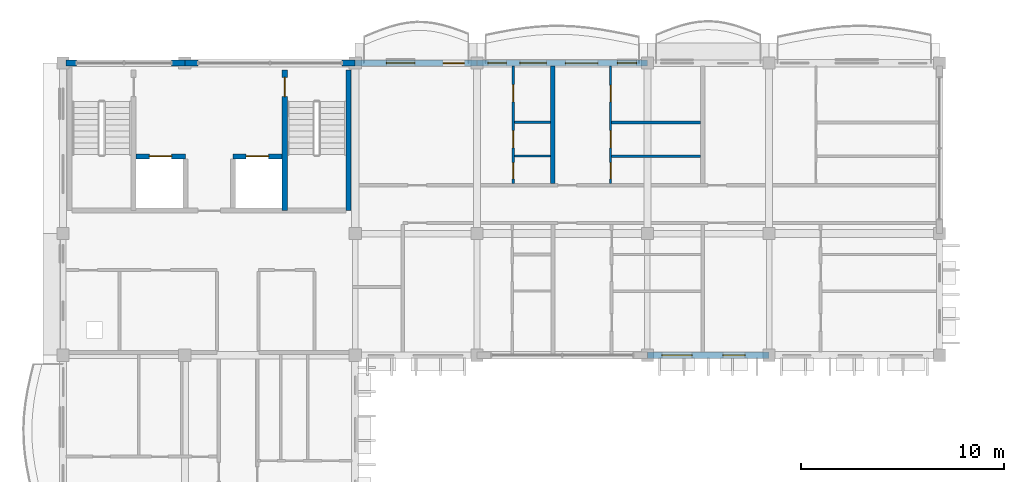
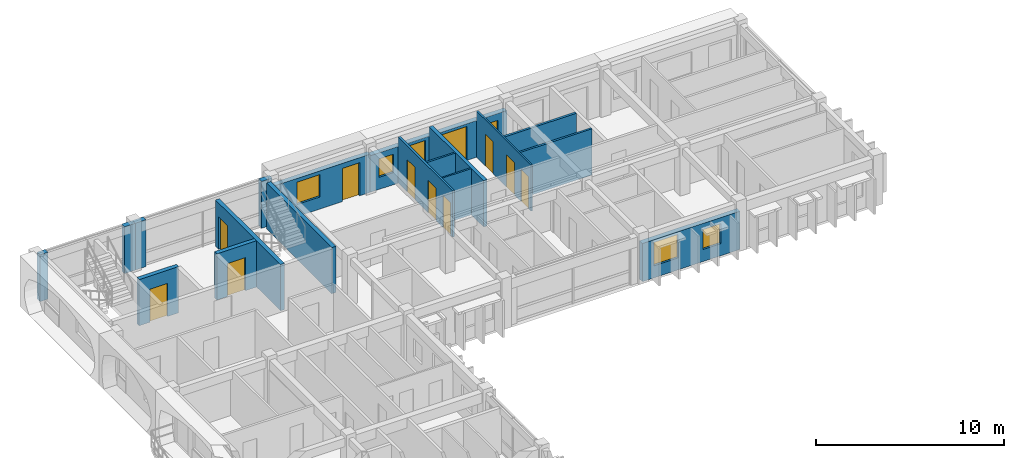
# One storey, part 31 of 68: 18 walls, 11 doors, 6 windows, 17 openings.
"""IFC4 building model written with IfcOpenShell, lengths in metres."""

import ifcopenshell
import ifcopenshell.guid

model = None  # the IFC model being written
_history = None  # IfcOwnerHistory: only IFC2X3 demands one
_inside = {}  # id of a spatial element -> (the spatial element, [elements in it])
_under = {}  # id of a project, library or spatial element -> (it, [spatial elements below it])
_declared = {}  # id of a project -> (the project, [libraries it declares])
_typed = {}  # id of a type object -> (the type object, [elements of that type])
_made_of = {}  # id of a material, layer set ... -> (it, [elements and type objects made of it])


def new_model(schema):
    """Start an empty IFC model of exactly this schema.

    Asked for "IFC4X3", IfcOpenShell would pick the latest addendum, in which some entities
    have other attributes; the version numbers below select the first issue.
    IFC2X3 requires an IfcOwnerHistory on every rooted entity: one is made here for all.
    """
    global model, _history
    if schema == "IFC4X3":
        model = ifcopenshell.file(schema_version=(4, 3, 0, 0))
    else:
        model = ifcopenshell.file(schema=schema)
    _inside.clear()
    _under.clear()
    _declared.clear()
    _typed.clear()
    _made_of.clear()
    _history = None
    if model.schema == "IFC2X3":
        org = make("IfcOrganization", Name="unknown")
        user = make(
            "IfcPersonAndOrganization",
            ThePerson=make("IfcPerson", FamilyName="unknown"),
            TheOrganization=org,
        )
        app = make(
            "IfcApplication",
            ApplicationDeveloper=org,
            Version="unknown",
            ApplicationFullName="unknown",
            ApplicationIdentifier="unknown",
        )
        _history = make(
            "IfcOwnerHistory",
            OwningUser=user,
            OwningApplication=app,
            ChangeAction="ADDED",
            CreationDate=0,
        )
    return model


def make(cls, **values):
    """One entity of the class cls with the attributes given. An attribute that is None is left unset."""
    return model.create_entity(
        cls, **{name: value for name, value in values.items() if value is not None}
    )


def rooted(cls, **values):
    """An entity with a GlobalId (a new one), such as an element, a storey or a relation."""
    return make(cls, GlobalId=ifcopenshell.guid.new(), OwnerHistory=_history, **values)


def si_unit(unit_type, name, prefix=None):
    """IfcSIUnit, for example si_unit("LENGTHUNIT", "METRE", prefix="MILLI")."""
    return make("IfcSIUnit", UnitType=unit_type, Prefix=prefix, Name=name)


def assignment(units):
    """IfcUnitAssignment: the units of a project."""
    return None if units is None else make("IfcUnitAssignment", Units=units)


def point(xyz):
    """IfcCartesianPoint."""
    return None if xyz is None else make("IfcCartesianPoint", Coordinates=xyz)


def direction(xyz):
    """IfcDirection."""
    return None if xyz is None else make("IfcDirection", DirectionRatios=xyz)


def frame(location, z_axis=None, x_axis=None):
    """IfcAxis2Placement3D, a coordinate frame: its origin and axes. An axis left out is left unset."""
    return make(
        "IfcAxis2Placement3D",
        Location=point(location),
        Axis=direction(z_axis),
        RefDirection=direction(x_axis),
    )


def frame_2d(location, x_axis=None):
    """IfcAxis2Placement2D, a coordinate frame in the plane: its origin and x axis."""
    return make(
        "IfcAxis2Placement2D", Location=point(location), RefDirection=direction(x_axis)
    )


def origin():
    """The frame at (0, 0, 0) with its axes left unset."""
    return frame((0.0, 0.0, 0.0))


def place(relative_to, where):
    """IfcLocalPlacement: puts the frame where relative to a parent placement (None: the world)."""
    return make(
        "IfcLocalPlacement", PlacementRelTo=relative_to, RelativePlacement=where
    )


def context(
    kind, dimensions, precision=None, world=None, true_north=None, identifier=None
):
    """IfcGeometricRepresentationContext, for example the 3D "Model" context."""
    return make(
        "IfcGeometricRepresentationContext",
        ContextIdentifier=identifier,
        ContextType=kind,
        CoordinateSpaceDimension=dimensions,
        Precision=precision,
        WorldCoordinateSystem=world,
        TrueNorth=true_north,
    )


def subcontext(parent, identifier, kind, view, scale=None):
    """IfcGeometricRepresentationSubContext, for example "Body" below "Model"."""
    return make(
        "IfcGeometricRepresentationSubContext",
        ContextIdentifier=identifier,
        ContextType=kind,
        ParentContext=parent,
        TargetScale=scale,
        TargetView=view,
    )


def project(units=None, contexts=None):
    """IfcProject with its units and contexts."""
    return rooted(
        "IfcProject",
        Name="project",
        RepresentationContexts=contexts,
        UnitsInContext=assignment(units),
    )


def spatial(cls, under=None, at=None, **own):
    """A site, building, storey or space (cls), placed at a placement, below another one or the project."""
    s = rooted(cls, ObjectPlacement=at, **own)
    if under is not None:
        _under.setdefault(under.id(), (under, []))[1].append(s)
    return s


def profile(cls, at=None, kind="AREA", **sizes):
    """A parametric profile (cls). Its sizes go by their IFC names, for example OverallWidth=200.0."""
    return make(cls, ProfileType=kind, Position=at, **sizes)


def rectangle(**sizes):
    """IfcRectangleProfileDef."""
    return profile("IfcRectangleProfileDef", **sizes)


def extrude(swept, where, along, depth):
    """IfcExtrudedAreaSolid: the profile swept, set in the frame where, extruded along a direction by depth."""
    return make(
        "IfcExtrudedAreaSolid",
        SweptArea=swept,
        Position=where,
        ExtrudedDirection=direction(along),
        Depth=depth,
    )


def shape(context_of_items, identifier, shape_type, items):
    """IfcShapeRepresentation: the items that make up one representation, for example the "Body"."""
    return make(
        "IfcShapeRepresentation",
        ContextOfItems=context_of_items,
        RepresentationIdentifier=identifier,
        RepresentationType=shape_type,
        Items=items,
    )


def material(Name=None, Category=None):
    """IfcMaterial."""
    return make("IfcMaterial", Name=Name, Category=Category)


def layer(
    of_material, thickness, ventilated=None, Name=None, Category=None, Priority=None
):
    """IfcMaterialLayer: one layer of a wall or slab, of a material (None: an air gap)."""
    return make(
        "IfcMaterialLayer",
        Material=of_material,
        LayerThickness=thickness,
        IsVentilated=ventilated,
        Name=Name,
        Category=Category,
        Priority=Priority,
    )


def layer_set(layers, Name=None):
    """IfcMaterialLayerSet."""
    return make("IfcMaterialLayerSet", MaterialLayers=layers, LayerSetName=Name)


def made_of(thing, what):
    """Note that an element or type object is made of a material, layer set ...; save() writes the relation."""
    if what is not None:
        _made_of.setdefault(what.id(), (what, []))[1].append(thing)
    return thing


def type_object(cls, material=None, **own):
    """A type object (cls), such as IfcWallType, which elements share."""
    return made_of(rooted(cls, **own), material)


def element(
    cls,
    number,
    at=None,
    inside=None,
    cuts=None,
    type_object=None,
    material=None,
    context=None,
    identifier="Body",
    shape_type=None,
    held_by="IfcProductDefinitionShape",
    body=None,
    shapes=None,
    **own,
):
    """One element of the class cls, such as IfcWall. Its Tag is "e" and its number.

    at: its placement. inside: the storey or other place that contains it. cuts: it is an
    opening in that element (IfcRelVoidsElement). A single representation is given by context,
    identifier, shape_type and body (its items); several are given by shapes. held_by: the class
    of the entity that holds the representations. save() writes the other relations.
    """
    e = rooted(cls, Tag="e%d" % number, ObjectPlacement=at, **own)
    if body is not None:
        shapes = [shape(context, identifier, shape_type, body)]
    if shapes is not None:
        e.Representation = make(held_by, Representations=shapes)
    if inside is not None:
        _inside.setdefault(inside.id(), (inside, []))[1].append(e)
    if cuts is not None:
        rooted(
            "IfcRelVoidsElement", RelatingBuildingElement=cuts, RelatedOpeningElement=e
        )
    if type_object is not None:
        _typed.setdefault(type_object.id(), (type_object, []))[1].append(e)
    return made_of(e, material)


def fill(opening, filler):
    """IfcRelFillsElement: the door or window that sits in an opening."""
    return rooted(
        "IfcRelFillsElement",
        RelatingOpeningElement=opening,
        RelatedBuildingElement=filler,
    )


def aggregate(whole, parts):
    """IfcRelAggregates: a whole, such as a stair, and the parts it consists of."""
    return rooted("IfcRelAggregates", RelatingObject=whole, RelatedObjects=parts)


def save(model, path):
    """Write the relations noted so far, then the file.

    IfcRelAggregates (storeys below a building ...), IfcRelContainedInSpatialStructure (elements
    in a storey), IfcRelDefinesByType, IfcRelAssociatesMaterial and IfcRelDeclares: one each for
    every whole, place, type object, material and project.
    """
    for whole, parts in _under.values():
        aggregate(whole, parts)
    for where, things in _inside.values():
        rooted(
            "IfcRelContainedInSpatialStructure",
            RelatedElements=things,
            RelatingStructure=where,
        )
    for kind, things in _typed.values():
        rooted("IfcRelDefinesByType", RelatedObjects=things, RelatingType=kind)
    for what, things in _made_of.values():
        rooted("IfcRelAssociatesMaterial", RelatedObjects=things, RelatingMaterial=what)
    for by, libraries in _declared.values():
        rooted("IfcRelDeclares", RelatingContext=by, RelatedDefinitions=libraries)
    model.write(path)


model = new_model("IFC4")

# Units and contexts
model_context = context("Model", 3, precision=1e-05, world=origin(), true_north=direction((0.0, 1.0)))
body_context = subcontext(model_context, "Body", "Model", "MODEL_VIEW")
ifc_project = project(units=[si_unit("LENGTHUNIT", "METRE"), si_unit("AREAUNIT", "SQUARE_METRE"), si_unit("VOLUMEUNIT", "CUBIC_METRE"), si_unit("PLANEANGLEUNIT", "RADIAN"), si_unit("MASSUNIT", "GRAM", prefix="KILO"), si_unit("THERMODYNAMICTEMPERATUREUNIT", "KELVIN")], contexts=[model_context])

# Site, building, storey
site_placement = place(None, origin())
site = spatial("IfcSite", under=ifc_project, at=site_placement, CompositionType="ELEMENT")
building_placement = place(site_placement, origin())
building = spatial("IfcBuilding", under=site, at=building_placement, Name="Thalorik Housing Commons", CompositionType="ELEMENT")
storey_placement = place(building_placement, frame((0.0, 0.0, 24.60009765625)))
storey = spatial("IfcBuildingStorey", under=building, at=storey_placement, Name="L07", CompositionType="ELEMENT", Elevation=24.60009765625)

# Wall
ifc_material_1 = material(Name="Concrete C40/50", Category="concrete")
ifc_layer_1 = layer(ifc_material_1, 0.25, Name="Concrete C40/50", Category="concrete")
ifc_layer_set_1 = layer_set([ifc_layer_1], Name="Concrete C40/50")
wall_type_1 = type_object("IfcWallType", Name="ARC-WAL-CORE-250", PredefinedType="SHEAR", material=ifc_layer_set_1)
wall_1_placement = place(storey_placement, frame((22.47509765625, 123.25, 0.0), z_axis=(0.0, 0.0, 1.0), x_axis=(0.0, -1.0, 0.0)))
element("IfcWall", 1, at=wall_1_placement, inside=storey, type_object=wall_type_1, Name="L07 Core A Stair 2 Outer Shear Wall", PredefinedType="SHEAR", context=body_context, shape_type="SweptSolid", body=[
    extrude(rectangle(XDim=6.925048828125, YDim=0.25, at=frame_2d((3.46240234375, 0.0))), origin(), (0.0, 0.0, 1.0), 3.0),
])

# Wall, opening, door
wall_2_placement = place(storey_placement, frame((19.324951171875, 123.25, 0.0), z_axis=(0.0, 0.0, 1.0), x_axis=(0.0, -1.0, 0.0)))
wall_2 = element("IfcWall", 2, at=wall_2_placement, inside=storey, type_object=wall_type_1, Name="L07 Core A Stair 2 Shear Wall", PredefinedType="SHEAR", context=body_context, shape_type="SweptSolid", body=[
    extrude(rectangle(XDim=6.925048828125, YDim=0.25, at=frame_2d((3.46240234375, 0.0))), origin(), (0.0, 0.0, 1.0), 3.0),
])
opening_1_placement = place(wall_2_placement, frame((0.35009765625, 0.0, 0.0)))
opening_1 = element("IfcOpeningElement", 3, at=opening_1_placement, cuts=wall_2, Name="Opening ID-0066", PredefinedType="OPENING", context=body_context, shape_type="SweptSolid", body=[
    extrude(rectangle(XDim=0.949951171875, YDim=2.10009765625, at=frame_2d((0.47509765625, 1.050048828125))), frame((0.0, 0.135009765625, 0.0), z_axis=(0.0, -1.0, 0.0), x_axis=(1.0, 0.0, 0.0)), (0.0, 0.0, 1.0), 0.27001953125),
])
ifc_material_2 = material(Name="Steel S355", Category="steel")
door_type_1 = type_object("IfcDoorType", Name="ARC-DR-FD60-950", OperationType="NOTDEFINED", PredefinedType="DOOR", material=ifc_material_2)
door_1_placement = place(opening_1_placement, origin())
door_1 = element("IfcDoor", 4, at=door_1_placement, inside=storey, type_object=door_type_1, Name="L07 Stair ST-A2 Fire Door", OperationType="SINGLE_SWING_LEFT", OverallHeight=2.10009765625, OverallWidth=0.949951171875, PredefinedType="DOOR", context=body_context, shape_type="SweptSolid", body=[
    extrude(rectangle(XDim=0.949951171875, YDim=2.10009765625, at=frame_2d((0.47509765625, 1.050048828125))), frame((0.0, 0.02490234375, 0.0), z_axis=(0.0, -1.0, 0.0), x_axis=(1.0, 0.0, 0.0)), (0.0, 0.0, 1.0), 0.050048828125),
])
fill(opening_1, door_1)

wall_3_placement = place(storey_placement, frame((12.0, 119.0, 0.0), z_axis=(0.0, 0.0, 1.0), x_axis=(1.0, 0.0, 0.0)))
wall_3 = element("IfcWall", 5, at=wall_3_placement, inside=storey, type_object=wall_type_1, Name="L07 Lift LF-A1 Front Shaft Wall", PredefinedType="SHEAR", context=body_context, shape_type="SweptSolid", body=[
    extrude(rectangle(XDim=2.425048828125, YDim=0.25, at=frame_2d((1.21240234375, 0.0))), origin(), (0.0, 0.0, 1.0), 3.0),
])
opening_2_placement = place(wall_3_placement, frame((0.64990234375, 0.0, 0.0)))
opening_2 = element("IfcOpeningElement", 6, at=opening_2_placement, cuts=wall_3, Name="Opening LD-LF-A1-L07", PredefinedType="OPENING", context=body_context, shape_type="SweptSolid", body=[
    extrude(rectangle(XDim=1.10009765625, YDim=2.14990234375, at=frame_2d((0.550048828125, 1.074951171875))), frame((0.0, 0.135009765625, 0.0), z_axis=(0.0, -1.0, 0.0), x_axis=(1.0, 0.0, 0.0)), (0.0, 0.0, 1.0), 0.27001953125),
])
door_type_2 = type_object("IfcDoorType", Name="ARC-DR-LIFT-1100", OperationType="NOTDEFINED", PredefinedType="DOOR", material=ifc_material_2)
door_2_placement = place(opening_2_placement, origin())
door_2 = element("IfcDoor", 7, at=door_2_placement, inside=storey, type_object=door_type_2, Name="L07 Lift LF-A1 Landing Door", OperationType="SLIDING_TO_LEFT", OverallHeight=2.14990234375, OverallWidth=1.10009765625, PredefinedType="DOOR", context=body_context, shape_type="SweptSolid", body=[
    extrude(rectangle(XDim=1.10009765625, YDim=2.14990234375, at=frame_2d((0.550048828125, 1.074951171875))), frame((0.0, 0.02490234375, 0.0), z_axis=(0.0, -1.0, 0.0), x_axis=(1.0, 0.0, 0.0)), (0.0, 0.0, 1.0), 0.050048828125),
])
fill(opening_2, door_2)

wall_4_placement = place(storey_placement, frame((16.77490234375, 119.0, 0.0), z_axis=(0.0, 0.0, 1.0), x_axis=(1.0, 0.0, 0.0)))
wall_4 = element("IfcWall", 8, at=wall_4_placement, inside=storey, type_object=wall_type_1, Name="L07 Lift LP-A2 Front Shaft Wall", PredefinedType="SHEAR", context=body_context, shape_type="SweptSolid", body=[
    extrude(rectangle(XDim=2.425048828125, YDim=0.25, at=frame_2d((1.21240234375, 0.0))), origin(), (0.0, 0.0, 1.0), 3.0),
])
opening_3_placement = place(wall_4_placement, frame((0.64990234375, 0.0, 0.0)))
opening_3 = element("IfcOpeningElement", 9, at=opening_3_placement, cuts=wall_4, Name="Opening LD-LP-A2-L07", PredefinedType="OPENING", context=body_context, shape_type="SweptSolid", body=[
    extrude(rectangle(XDim=1.10009765625, YDim=2.14990234375, at=frame_2d((0.550048828125, 1.074951171875))), frame((0.0, 0.135009765625, 0.0), z_axis=(0.0, -1.0, 0.0), x_axis=(1.0, 0.0, 0.0)), (0.0, 0.0, 1.0), 0.27001953125),
])
door_3_placement = place(opening_3_placement, origin())
door_3 = element("IfcDoor", 10, at=door_3_placement, inside=storey, type_object=door_type_2, Name="L07 Lift LP-A2 Landing Door", OperationType="SLIDING_TO_LEFT", OverallHeight=2.14990234375, OverallWidth=1.10009765625, PredefinedType="DOOR", context=body_context, shape_type="SweptSolid", body=[
    extrude(rectangle(XDim=1.10009765625, YDim=2.14990234375, at=frame_2d((0.550048828125, 1.074951171875))), frame((0.0, 0.02490234375, 0.0), z_axis=(0.0, -1.0, 0.0), x_axis=(1.0, 0.0, 0.0)), (0.0, 0.0, 1.0), 0.050048828125),
])
fill(opening_3, door_3)

# Wall, openings, windows
ifc_material_3 = material(Name="White precast concrete C40/50", Category="concrete")
ifc_layer_2 = layer(ifc_material_3, 0.304931640625, Name="White precast concrete C40/50", Category="concrete")
ifc_layer_set_2 = layer_set([ifc_layer_2], Name="White precast concrete C40/50")
wall_type_2 = type_object("IfcWallType", Name="ARC-WAL-EXT-305", PredefinedType="STANDARD", material=ifc_layer_set_2)
wall_5_placement = place(storey_placement, frame((37.199951171875, 109.199951171875, 0.0), z_axis=(0.0, 0.0, 1.0), x_axis=(1.0, 0.0, 0.0)))
wall_5 = element("IfcWall", 11, at=wall_5_placement, inside=storey, type_object=wall_type_2, Name="L07 Exterior Wall WAL-EXT-L07-A-0193", PredefinedType="STANDARD", context=body_context, shape_type="SweptSolid", body=[
    extrude(rectangle(XDim=6.0, YDim=0.304931640625, at=frame_2d((3.0, 0.0))), origin(), (0.0, 0.0, 1.0), 2.474853515625),
])
opening_4_placement = place(wall_5_placement, frame((0.719970703125, 0.0, 0.780029296875)))
opening_4 = element("IfcOpeningElement", 12, at=opening_4_placement, cuts=wall_5, Name="Opening W-51", PredefinedType="OPENING", context=body_context, shape_type="SweptSolid", body=[
    extrude(rectangle(XDim=1.47998046875, YDim=1.52001953125, at=frame_2d((0.739990234375, 0.760009765625))), frame((0.0, 0.16259765625, 0.0), z_axis=(0.0, -1.0, 0.0), x_axis=(1.0, 0.0, 0.0)), (0.0, 0.0, 1.0), 0.324951171875),
])
opening_5_placement = place(wall_5_placement, frame((3.719970703125, 0.0, 0.780029296875)))
opening_5 = element("IfcOpeningElement", 13, at=opening_5_placement, cuts=wall_5, Name="Opening W-03", PredefinedType="OPENING", context=body_context, shape_type="SweptSolid", body=[
    extrude(rectangle(XDim=1.10009765625, YDim=1.300048828125, at=frame_2d((0.550048828125, 0.64990234375))), frame((0.0, 0.16259765625, 0.0), z_axis=(0.0, -1.0, 0.0), x_axis=(1.0, 0.0, 0.0)), (0.0, 0.0, 1.0), 0.324951171875),
])
ifc_material_4 = material(Name="Anodised aluminium and solar-control low-E glass", Category="aluminium")
window_type_1 = type_object("IfcWindowType", Name="ARC-WIN-03", PartitioningType="SINGLE_PANEL", PredefinedType="WINDOW", material=ifc_material_4)
window_1_placement = place(opening_5_placement, origin())
window_1 = element("IfcWindow", 14, at=window_1_placement, inside=storey, type_object=window_type_1, Name="L07 Facade Window 348", OverallHeight=1.300048828125, OverallWidth=1.10009765625, PartitioningType="SINGLE_PANEL", PredefinedType="WINDOW", context=body_context, shape_type="SweptSolid", body=[
    extrude(rectangle(XDim=1.10009765625, YDim=1.300048828125, at=frame_2d((0.550048828125, 0.64990234375))), frame((0.0, 0.030029296875, 0.0), z_axis=(0.0, -1.0, 0.0), x_axis=(1.0, 0.0, 0.0)), (0.0, 0.0, 1.0), 0.06005859375),
])
fill(opening_5, window_1)
window_type_2 = type_object("IfcWindowType", Name="ARC-WIN-51", PartitioningType="SINGLE_PANEL", PredefinedType="WINDOW", material=ifc_material_4)
window_2_placement = place(opening_4_placement, origin())
window_2 = element("IfcWindow", 15, at=window_2_placement, inside=storey, type_object=window_type_2, Name="L07 Facade Window 347", OverallHeight=1.52001953125, OverallWidth=1.47998046875, PartitioningType="SINGLE_PANEL", PredefinedType="WINDOW", context=body_context, shape_type="SweptSolid", body=[
    extrude(rectangle(XDim=1.47998046875, YDim=1.52001953125, at=frame_2d((0.739990234375, 0.760009765625))), frame((0.0, 0.030029296875, 0.0), z_axis=(0.0, -1.0, 0.0), x_axis=(1.0, 0.0, 0.0)), (0.0, 0.0, 1.0), 0.06005859375),
])
fill(opening_4, window_2)

# Wall, openings, door, windows
wall_6_placement = place(storey_placement, frame((37.199951171875, 123.60009765625, 0.0), z_axis=(0.0, 0.0, 1.0), x_axis=(-1.0, 0.0, 0.0)))
wall_6 = element("IfcWall", 16, at=wall_6_placement, inside=storey, type_object=wall_type_2, Name="L07 Exterior Wall WAL-EXT-L07-A-0199", PredefinedType="STANDARD", context=body_context, shape_type="SweptSolid", body=[
    extrude(rectangle(XDim=8.39990234375, YDim=0.304931640625, at=frame_2d((4.199951171875, 0.0))), origin(), (0.0, 0.0, 1.0), 2.375),
])
opening_6_placement = place(wall_6_placement, frame((2.436279296875, 0.0, 0.0)))
opening_6 = element("IfcOpeningElement", 17, at=opening_6_placement, cuts=wall_6, Name="Opening ED-0063", PredefinedType="OPENING", context=body_context, shape_type="SweptSolid", body=[
    extrude(rectangle(XDim=1.60009765625, YDim=2.199951171875, at=frame_2d((0.800048828125, 1.10009765625))), frame((0.0, 0.16259765625, 0.0), z_axis=(0.0, -1.0, 0.0), x_axis=(1.0, 0.0, 0.0)), (0.0, 0.0, 1.0), 0.324951171875),
])
opening_7_placement = place(wall_6_placement, frame((0.5263671875, 0.0, 0.780029296875)))
opening_7 = element("IfcOpeningElement", 18, at=opening_7_placement, cuts=wall_6, Name="Opening W-43", PredefinedType="OPENING", context=body_context, shape_type="SweptSolid", body=[
    extrude(rectangle(XDim=0.949951171875, YDim=1.14990234375, at=frame_2d((0.47509765625, 0.574951171875))), frame((0.0, 0.16259765625, 0.0), z_axis=(0.0, -1.0, 0.0), x_axis=(1.0, 0.0, 0.0)), (0.0, 0.0, 1.0), 0.324951171875),
])
opening_8_placement = place(wall_6_placement, frame((4.9814453125, 0.0, 0.780029296875)))
opening_8 = element("IfcOpeningElement", 19, at=opening_8_placement, cuts=wall_6, Name="Opening W-06", PredefinedType="OPENING", context=body_context, shape_type="SweptSolid", body=[
    extrude(rectangle(XDim=1.300048828125, YDim=1.39990234375, at=frame_2d((0.64990234375, 0.699951171875))), frame((0.0, 0.16259765625, 0.0), z_axis=(0.0, -1.0, 0.0), x_axis=(1.0, 0.0, 0.0)), (0.0, 0.0, 1.0), 0.324951171875),
])
opening_9_placement = place(wall_6_placement, frame((6.956298828125, 0.0, 0.780029296875)))
opening_9 = element("IfcOpeningElement", 20, at=opening_9_placement, cuts=wall_6, Name="Opening W-01", PredefinedType="OPENING", context=body_context, shape_type="SweptSolid", body=[
    extrude(rectangle(XDim=0.89990234375, YDim=1.199951171875, at=frame_2d((0.449951171875, 0.60009765625))), frame((0.0, 0.16259765625, 0.0), z_axis=(0.0, -1.0, 0.0), x_axis=(1.0, 0.0, 0.0)), (0.0, 0.0, 1.0), 0.324951171875),
])
ifc_material_5 = material(Name="Anodised aluminium and laminated safety glass", Category="aluminium")
door_type_3 = type_object("IfcDoorType", Name="ARC-DR-BAL-1600", OperationType="NOTDEFINED", PredefinedType="DOOR", material=ifc_material_5)
door_4_placement = place(opening_6_placement, frame((1.60009765625, 0.0, 0.0), z_axis=(0.0, 0.0, 1.0), x_axis=(-1.0, 0.0, 0.0)))
door_4 = element("IfcDoor", 21, at=door_4_placement, inside=storey, type_object=door_type_3, Name="L07 Block A Balcony Glazed Door", OperationType="SLIDING_TO_LEFT", OverallHeight=2.199951171875, OverallWidth=1.60009765625, PredefinedType="DOOR", context=body_context, shape_type="SweptSolid", body=[
    extrude(rectangle(XDim=1.60009765625, YDim=2.199951171875, at=frame_2d((0.800048828125, 1.10009765625))), frame((0.0, 0.02490234375, 0.0), z_axis=(0.0, -1.0, 0.0), x_axis=(1.0, 0.0, 0.0)), (0.0, 0.0, 1.0), 0.050048828125),
])
fill(opening_6, door_4)
window_type_3 = type_object("IfcWindowType", Name="ARC-WIN-01", PartitioningType="SINGLE_PANEL", PredefinedType="WINDOW", material=ifc_material_4)
window_3_placement = place(opening_9_placement, origin())
window_3 = element("IfcWindow", 22, at=window_3_placement, inside=storey, type_object=window_type_3, Name="L07 Facade Window 359", OverallHeight=1.199951171875, OverallWidth=0.89990234375, PartitioningType="SINGLE_PANEL", PredefinedType="WINDOW", context=body_context, shape_type="SweptSolid", body=[
    extrude(rectangle(XDim=0.89990234375, YDim=1.199951171875, at=frame_2d((0.449951171875, 0.60009765625))), frame((0.0, 0.030029296875, 0.0), z_axis=(0.0, -1.0, 0.0), x_axis=(1.0, 0.0, 0.0)), (0.0, 0.0, 1.0), 0.06005859375),
])
fill(opening_9, window_3)
window_type_4 = type_object("IfcWindowType", Name="ARC-WIN-06", PartitioningType="SINGLE_PANEL", PredefinedType="WINDOW", material=ifc_material_4)
window_4_placement = place(opening_8_placement, origin())
window_4 = element("IfcWindow", 23, at=window_4_placement, inside=storey, type_object=window_type_4, Name="L07 Facade Window 358", OverallHeight=1.39990234375, OverallWidth=1.300048828125, PartitioningType="SINGLE_PANEL", PredefinedType="WINDOW", context=body_context, shape_type="SweptSolid", body=[
    extrude(rectangle(XDim=1.300048828125, YDim=1.39990234375, at=frame_2d((0.64990234375, 0.699951171875))), frame((0.0, 0.030029296875, 0.0), z_axis=(0.0, -1.0, 0.0), x_axis=(1.0, 0.0, 0.0)), (0.0, 0.0, 1.0), 0.06005859375),
])
fill(opening_8, window_4)
window_type_5 = type_object("IfcWindowType", Name="ARC-WIN-43", PartitioningType="SINGLE_PANEL", PredefinedType="WINDOW", material=ifc_material_4)
window_5_placement = place(opening_7_placement, origin())
window_5 = element("IfcWindow", 24, at=window_5_placement, inside=storey, type_object=window_type_5, Name="L07 Facade Window 357", OverallHeight=1.14990234375, OverallWidth=0.949951171875, PartitioningType="SINGLE_PANEL", PredefinedType="WINDOW", context=body_context, shape_type="SweptSolid", body=[
    extrude(rectangle(XDim=0.949951171875, YDim=1.14990234375, at=frame_2d((0.47509765625, 0.574951171875))), frame((0.0, 0.030029296875, 0.0), z_axis=(0.0, -1.0, 0.0), x_axis=(1.0, 0.0, 0.0)), (0.0, 0.0, 1.0), 0.06005859375),
])
fill(opening_7, window_5)

# Wall, openings, door, window
wall_7_placement = place(storey_placement, frame((28.800048828125, 123.60009765625, 0.0), z_axis=(0.0, 0.0, 1.0), x_axis=(-1.0, 0.0, 0.0)))
wall_7 = element("IfcWall", 25, at=wall_7_placement, inside=storey, type_object=wall_type_2, Name="L07 Exterior Wall WAL-EXT-L07-A-0200", PredefinedType="STANDARD", context=body_context, shape_type="SweptSolid", body=[
    extrude(rectangle(XDim=6.0, YDim=0.304931640625, at=frame_2d((3.0, 0.0))), origin(), (0.0, 0.0, 1.0), 2.474853515625),
])
opening_10_placement = place(wall_7_placement, frame((0.6201171875, 0.0, 0.0)))
opening_10 = element("IfcOpeningElement", 26, at=opening_10_placement, cuts=wall_7, Name="Opening ED-0064", PredefinedType="OPENING", context=body_context, shape_type="SweptSolid", body=[
    extrude(rectangle(XDim=1.050048828125, YDim=2.14990234375, at=frame_2d((0.52490234375, 1.074951171875))), frame((0.0, 0.16259765625, 0.0), z_axis=(0.0, -1.0, 0.0), x_axis=(1.0, 0.0, 0.0)), (0.0, 0.0, 1.0), 0.324951171875),
])
opening_11_placement = place(wall_7_placement, frame((3.06494140625, 0.0, 0.780029296875)))
opening_11 = element("IfcOpeningElement", 27, at=opening_11_placement, cuts=wall_7, Name="Opening W-08", PredefinedType="OPENING", context=body_context, shape_type="SweptSolid", body=[
    extrude(rectangle(XDim=1.39990234375, YDim=1.449951171875, at=frame_2d((0.699951171875, 0.72509765625))), frame((0.0, 0.16259765625, 0.0), z_axis=(0.0, -1.0, 0.0), x_axis=(1.0, 0.0, 0.0)), (0.0, 0.0, 1.0), 0.324951171875),
])
door_type_4 = type_object("IfcDoorType", Name="ARC-DR-BAL-1050", OperationType="NOTDEFINED", PredefinedType="DOOR", material=ifc_material_5)
door_5_placement = place(opening_10_placement, frame((1.050048828125, 0.0, 0.0), z_axis=(0.0, 0.0, 1.0), x_axis=(-1.0, 0.0, 0.0)))
door_5 = element("IfcDoor", 28, at=door_5_placement, inside=storey, type_object=door_type_4, Name="L07 Block A Balcony Glazed Door", OperationType="SINGLE_SWING_LEFT", OverallHeight=2.14990234375, OverallWidth=1.050048828125, PredefinedType="DOOR", context=body_context, shape_type="SweptSolid", body=[
    extrude(rectangle(XDim=1.050048828125, YDim=2.14990234375, at=frame_2d((0.52490234375, 1.074951171875))), frame((0.0, 0.02490234375, 0.0), z_axis=(0.0, -1.0, 0.0), x_axis=(1.0, 0.0, 0.0)), (0.0, 0.0, 1.0), 0.050048828125),
])
fill(opening_10, door_5)
window_type_6 = type_object("IfcWindowType", Name="ARC-WIN-08", PartitioningType="SINGLE_PANEL", PredefinedType="WINDOW", material=ifc_material_4)
window_6_placement = place(opening_11_placement, origin())
window_6 = element("IfcWindow", 29, at=window_6_placement, inside=storey, type_object=window_type_6, Name="L07 Facade Window 360", OverallHeight=1.449951171875, OverallWidth=1.39990234375, PartitioningType="SINGLE_PANEL", PredefinedType="WINDOW", context=body_context, shape_type="SweptSolid", body=[
    extrude(rectangle(XDim=1.39990234375, YDim=1.449951171875, at=frame_2d((0.699951171875, 0.72509765625))), frame((0.0, 0.030029296875, 0.0), z_axis=(0.0, -1.0, 0.0), x_axis=(1.0, 0.0, 0.0)), (0.0, 0.0, 1.0), 0.06005859375),
])
fill(opening_11, window_6)

# Walls
for number, where, z_axis, x_axis, name in (
    (30, (22.800048828125, 123.60009765625, 0.0), (0.0, 0.0, 1.0), (-1.0, 0.0, 0.0), "L07 Exterior Wall WAL-PIERL-L07-A-0201"),
    (31, (15.050048828125, 123.60009765625, 0.0), (0.0, 0.0, 1.0), (-1.0, 0.0, 0.0), "L07 Exterior Wall WAL-PIERR-L07-A-0201"),
):
    element("IfcWall", number, at=place(storey_placement, frame(where, z_axis=z_axis, x_axis=x_axis)), inside=storey, type_object=wall_type_2, Name=name, PredefinedType="STANDARD", context=body_context, shape_type="SweptSolid", body=[
        extrude(rectangle(XDim=0.650146484375, YDim=0.304931640625, at=frame_2d((0.3251953125, 0.0))), origin(), (0.0, 0.0, 1.0), 3.039794921875),
    ])
wall_8_placement = place(storey_placement, frame((14.39990234375, 123.60009765625, 0.0), z_axis=(0.0, 0.0, 1.0), x_axis=(-1.0, 0.0, 0.0)))
element("IfcWall", 32, at=wall_8_placement, inside=storey, type_object=wall_type_2, Name="L07 Exterior Wall WAL-PIERL-L07-A-0202", PredefinedType="STANDARD", context=body_context, shape_type="SweptSolid", body=[
    extrude(rectangle(XDim=0.64990234375, YDim=0.304931640625, at=frame_2d((0.324951171875, 0.0))), origin(), (0.0, 0.0, 1.0), 3.039794921875),
])
wall_9_placement = place(storey_placement, frame((9.050048828125, 123.60009765625, 0.0), z_axis=(0.0, 0.0, 1.0), x_axis=(-1.0, 0.0, 0.0)))
element("IfcWall", 33, at=wall_9_placement, inside=storey, type_object=wall_type_2, Name="L07 Exterior Wall WAL-PIERR-L07-A-0202", PredefinedType="STANDARD", context=body_context, shape_type="SweptSolid", body=[
    extrude(rectangle(XDim=0.49560546875, YDim=0.304931640625, at=frame_2d((0.247802734375, 0.0))), origin(), (0.0, 0.0, 1.0), 3.039794921875),
])
ifc_material_6 = material(Name="Gypsum light stud partition", Category="masonry")
ifc_layer_3 = layer(ifc_material_6, 0.10009765625, Name="Gypsum light stud partition", Category="masonry")
ifc_layer_set_3 = layer_set([ifc_layer_3], Name="Gypsum light stud partition")
wall_type_3 = type_object("IfcWallType", Name="ARC-WAL-PART-100", PredefinedType="PARTITIONING", material=ifc_layer_set_3)
wall_10_placement = place(storey_placement, frame((30.66162109375, 119.010498046875, 0.0), z_axis=(0.0, 0.0, 1.0), x_axis=(1.0, 0.0, 0.0)))
element("IfcWall", 34, at=wall_10_placement, inside=storey, type_object=wall_type_3, Name="L07 Unit 1B Wet Wall", PredefinedType="PARTITIONING", context=body_context, shape_type="SweptSolid", body=[
    extrude(rectangle(XDim=1.766357421875, YDim=0.10009765625, at=frame_2d((0.88330078125, 0.0))), origin(), (0.0, 0.0, 1.0), 3.0),
])

# Wall, openings, doors
wall_11_placement = place(storey_placement, frame((35.38720703125, 117.656982421875, 0.0), z_axis=(0.0, 0.0, 1.0), x_axis=(0.0, 1.0, 0.0)))
wall_11 = element("IfcWall", 35, at=wall_11_placement, inside=storey, type_object=wall_type_3, Name="L07 Unit 2B Spine Partition", PredefinedType="PARTITIONING", context=body_context, shape_type="SweptSolid", body=[
    extrude(rectangle(XDim=5.78857421875, YDim=0.10009765625, at=frame_2d((2.894287109375, 0.0))), origin(), (0.0, 0.0, 1.0), 3.0),
])
opening_12_placement = place(wall_11_placement, frame((0.23828125, 0.0, 0.0)))
opening_12 = element("IfcOpeningElement", 36, at=opening_12_placement, cuts=wall_11, Name="Opening ID-0694", PredefinedType="OPENING", context=body_context, shape_type="SweptSolid", body=[
    extrude(rectangle(XDim=0.800048828125, YDim=2.10009765625, at=frame_2d((0.39990234375, 1.050048828125))), frame((0.0, 0.06005859375, 0.0), z_axis=(0.0, -1.0, 0.0), x_axis=(1.0, 0.0, 0.0)), (0.0, 0.0, 1.0), 0.1201171875),
])
opening_13_placement = place(wall_11_placement, frame((1.7626953125, 0.0, 0.0)))
opening_13 = element("IfcOpeningElement", 37, at=opening_13_placement, cuts=wall_11, Name="Opening ID-0695", PredefinedType="OPENING", context=body_context, shape_type="SweptSolid", body=[
    extrude(rectangle(XDim=0.85009765625, YDim=2.10009765625, at=frame_2d((0.425048828125, 1.050048828125))), frame((0.0, 0.06005859375, 0.0), z_axis=(0.0, -1.0, 0.0), x_axis=(1.0, 0.0, 0.0)), (0.0, 0.0, 1.0), 0.1201171875),
])
opening_14_placement = place(wall_11_placement, frame((4.027587890625, 0.0, 0.0)))
opening_14 = element("IfcOpeningElement", 38, at=opening_14_placement, cuts=wall_11, Name="Opening ID-0696", PredefinedType="OPENING", context=body_context, shape_type="SweptSolid", body=[
    extrude(rectangle(XDim=0.820068359375, YDim=2.080078125, at=frame_2d((0.41015625, 1.0400390625))), frame((0.0, 0.06005859375, 0.0), z_axis=(0.0, -1.0, 0.0), x_axis=(1.0, 0.0, 0.0)), (0.0, 0.0, 1.0), 0.1201171875),
])
ifc_material_7 = material(Name="Moisture-resistant timber", Category="wood")
door_type_5 = type_object("IfcDoorType", Name="ARC-DR-INT-800", OperationType="NOTDEFINED", PredefinedType="DOOR", material=ifc_material_7)
door_6_placement = place(opening_12_placement, origin())
door_6 = element("IfcDoor", 39, at=door_6_placement, inside=storey, type_object=door_type_5, Name="L07 Accessible Bathroom Door", OperationType="SINGLE_SWING_LEFT", OverallHeight=2.10009765625, OverallWidth=0.800048828125, PredefinedType="DOOR", context=body_context, shape_type="SweptSolid", body=[
    extrude(rectangle(XDim=0.800048828125, YDim=2.10009765625, at=frame_2d((0.39990234375, 1.050048828125))), frame((0.0, 0.02490234375, 0.0), z_axis=(0.0, -1.0, 0.0), x_axis=(1.0, 0.0, 0.0)), (0.0, 0.0, 1.0), 0.050048828125),
])
fill(opening_12, door_6)
ifc_material_8 = material(Name="Engineered oak timber", Category="wood")
door_type_6 = type_object("IfcDoorType", Name="ARC-DR-INT-820", OperationType="NOTDEFINED", PredefinedType="DOOR", material=ifc_material_8)
door_7_placement = place(opening_14_placement, origin())
door_7 = element("IfcDoor", 40, at=door_7_placement, inside=storey, type_object=door_type_6, Name="L07 Single Bedroom Door", OperationType="SINGLE_SWING_LEFT", OverallHeight=2.080078125, OverallWidth=0.820068359375, PredefinedType="DOOR", context=body_context, shape_type="SweptSolid", body=[
    extrude(rectangle(XDim=0.820068359375, YDim=2.080078125, at=frame_2d((0.41015625, 1.0400390625))), frame((0.0, 0.02490234375, 0.0), z_axis=(0.0, -1.0, 0.0), x_axis=(1.0, 0.0, 0.0)), (0.0, 0.0, 1.0), 0.050048828125),
])
fill(opening_14, door_7)
door_type_7 = type_object("IfcDoorType", Name="ARC-DR-INT-850", OperationType="NOTDEFINED", PredefinedType="DOOR", material=ifc_material_8)
door_8_placement = place(opening_13_placement, origin())
door_8 = element("IfcDoor", 41, at=door_8_placement, inside=storey, type_object=door_type_7, Name="L07 Eat-In Kitchen Door", OperationType="SINGLE_SWING_RIGHT", OverallHeight=2.10009765625, OverallWidth=0.85009765625, PredefinedType="DOOR", context=body_context, shape_type="SweptSolid", body=[
    extrude(rectangle(XDim=0.85009765625, YDim=2.10009765625, at=frame_2d((0.425048828125, 1.050048828125))), frame((0.0, 0.02490234375, 0.0), z_axis=(0.0, -1.0, 0.0), x_axis=(1.0, 0.0, 0.0)), (0.0, 0.0, 1.0), 0.050048828125),
])
fill(opening_13, door_8)

# Wall
ifc_material_9 = material(Name="Gypsum moisture-resistant partition", Category="masonry")
ifc_layer_4 = layer(ifc_material_9, 0.114990234375, Name="Gypsum moisture-resistant partition", Category="masonry")
ifc_layer_set_4 = layer_set([ifc_layer_4], Name="Gypsum moisture-resistant partition")
wall_type_4 = type_object("IfcWallType", Name="ARC-WAL-PART-115", PredefinedType="PARTITIONING", material=ifc_layer_set_4)
wall_12_placement = place(storey_placement, frame((30.66162109375, 120.67919921875, 0.0), z_axis=(0.0, 0.0, 1.0), x_axis=(1.0, 0.0, 0.0)))
element("IfcWall", 42, at=wall_12_placement, inside=storey, type_object=wall_type_4, Name="L07 Unit 1B Bedroom Partition", PredefinedType="PARTITIONING", context=body_context, shape_type="SweptSolid", body=[
    extrude(rectangle(XDim=1.766357421875, YDim=0.114990234375, at=frame_2d((0.88330078125, 0.0))), origin(), (0.0, 0.0, 1.0), 3.0),
])

# Wall, openings, doors
ifc_material_10 = material(Name="Gypsum acoustic stud partition", Category="masonry")
ifc_layer_5 = layer(ifc_material_10, 0.125, Name="Gypsum acoustic stud partition", Category="masonry")
ifc_layer_set_5 = layer_set([ifc_layer_5], Name="Gypsum acoustic stud partition")
wall_type_5 = type_object("IfcWallType", Name="ARC-WAL-PART-125", PredefinedType="PARTITIONING", material=ifc_layer_set_5)
wall_13_placement = place(storey_placement, frame((30.59716796875, 117.656982421875, 0.0), z_axis=(0.0, 0.0, 1.0), x_axis=(0.0, 1.0, 0.0)))
wall_13 = element("IfcWall", 43, at=wall_13_placement, inside=storey, type_object=wall_type_5, Name="L07 Unit 1B Spine Partition", PredefinedType="PARTITIONING", context=body_context, shape_type="SweptSolid", body=[
    extrude(rectangle(XDim=5.78857421875, YDim=0.125, at=frame_2d((2.894287109375, 0.0))), origin(), (0.0, 0.0, 1.0), 3.0),
])
opening_15_placement = place(wall_13_placement, frame((0.23828125, 0.0, 0.0)))
opening_15 = element("IfcOpeningElement", 44, at=opening_15_placement, cuts=wall_13, Name="Opening ID-0688", PredefinedType="OPENING", context=body_context, shape_type="SweptSolid", body=[
    extrude(rectangle(XDim=0.800048828125, YDim=2.10009765625, at=frame_2d((0.39990234375, 1.050048828125))), frame((0.0, 0.072509765625, 0.0), z_axis=(0.0, -1.0, 0.0), x_axis=(1.0, 0.0, 0.0)), (0.0, 0.0, 1.0), 0.14501953125),
])
opening_16_placement = place(wall_13_placement, frame((1.7626953125, 0.0, 0.0)))
opening_16 = element("IfcOpeningElement", 45, at=opening_16_placement, cuts=wall_13, Name="Opening ID-0689", PredefinedType="OPENING", context=body_context, shape_type="SweptSolid", body=[
    extrude(rectangle(XDim=0.85009765625, YDim=2.10009765625, at=frame_2d((0.425048828125, 1.050048828125))), frame((0.0, 0.072509765625, 0.0), z_axis=(0.0, -1.0, 0.0), x_axis=(1.0, 0.0, 0.0)), (0.0, 0.0, 1.0), 0.14501953125),
])
opening_17_placement = place(wall_13_placement, frame((4.027587890625, 0.0, 0.0)))
opening_17 = element("IfcOpeningElement", 46, at=opening_17_placement, cuts=wall_13, Name="Opening ID-0690", PredefinedType="OPENING", context=body_context, shape_type="SweptSolid", body=[
    extrude(rectangle(XDim=0.85009765625, YDim=2.10009765625, at=frame_2d((0.425048828125, 1.050048828125))), frame((0.0, 0.072509765625, 0.0), z_axis=(0.0, -1.0, 0.0), x_axis=(1.0, 0.0, 0.0)), (0.0, 0.0, 1.0), 0.14501953125),
])
door_9_placement = place(opening_15_placement, origin())
door_9 = element("IfcDoor", 47, at=door_9_placement, inside=storey, type_object=door_type_5, Name="L07 Flat Bathroom Door", OperationType="SINGLE_SWING_LEFT", OverallHeight=2.10009765625, OverallWidth=0.800048828125, PredefinedType="DOOR", context=body_context, shape_type="SweptSolid", body=[
    extrude(rectangle(XDim=0.800048828125, YDim=2.10009765625, at=frame_2d((0.39990234375, 1.050048828125))), frame((0.0, 0.02490234375, 0.0), z_axis=(0.0, -1.0, 0.0), x_axis=(1.0, 0.0, 0.0)), (0.0, 0.0, 1.0), 0.050048828125),
])
fill(opening_15, door_9)
door_10_placement = place(opening_16_placement, origin())
door_10 = element("IfcDoor", 48, at=door_10_placement, inside=storey, type_object=door_type_7, Name="L07 Galley Kitchen Door", OperationType="SINGLE_SWING_RIGHT", OverallHeight=2.10009765625, OverallWidth=0.85009765625, PredefinedType="DOOR", context=body_context, shape_type="SweptSolid", body=[
    extrude(rectangle(XDim=0.85009765625, YDim=2.10009765625, at=frame_2d((0.425048828125, 1.050048828125))), frame((0.0, 0.02490234375, 0.0), z_axis=(0.0, -1.0, 0.0), x_axis=(1.0, 0.0, 0.0)), (0.0, 0.0, 1.0), 0.050048828125),
])
fill(opening_16, door_10)
door_11_placement = place(opening_17_placement, origin())
door_11 = element("IfcDoor", 49, at=door_11_placement, inside=storey, type_object=door_type_7, Name="L07 Double Bedroom Door", OperationType="SINGLE_SWING_LEFT", OverallHeight=2.10009765625, OverallWidth=0.85009765625, PredefinedType="DOOR", context=body_context, shape_type="SweptSolid", body=[
    extrude(rectangle(XDim=0.85009765625, YDim=2.10009765625, at=frame_2d((0.425048828125, 1.050048828125))), frame((0.0, 0.02490234375, 0.0), z_axis=(0.0, -1.0, 0.0), x_axis=(1.0, 0.0, 0.0)), (0.0, 0.0, 1.0), 0.050048828125),
])
fill(opening_17, door_11)

# Walls
wall_14_placement = place(storey_placement, frame((35.439208984375, 119.010498046875, 0.0), z_axis=(0.0, 0.0, 1.0), x_axis=(1.0, 0.0, 0.0)))
element("IfcWall", 50, at=wall_14_placement, inside=storey, type_object=wall_type_5, Name="L07 Unit 2B Wet Wall", PredefinedType="PARTITIONING", context=body_context, shape_type="SweptSolid", body=[
    extrude(rectangle(XDim=4.388671875, YDim=0.125, at=frame_2d((2.1943359375, 0.0))), origin(), (0.0, 0.0, 1.0), 3.0),
])
ifc_material_11 = material(Name="Ceramic masonry partition wall", Category="masonry")
ifc_layer_6 = layer(ifc_material_11, 0.139892578125, Name="Ceramic masonry partition wall", Category="masonry")
ifc_layer_set_6 = layer_set([ifc_layer_6], Name="Ceramic masonry partition wall")
wall_type_6 = type_object("IfcWallType", Name="ARC-WAL-PART-140", PredefinedType="PARTITIONING", material=ifc_layer_set_6)
wall_15_placement = place(storey_placement, frame((35.439208984375, 120.67919921875, 0.0), z_axis=(0.0, 0.0, 1.0), x_axis=(1.0, 0.0, 0.0)))
element("IfcWall", 51, at=wall_15_placement, inside=storey, type_object=wall_type_6, Name="L07 Unit 2B Bedroom Partition", PredefinedType="PARTITIONING", context=body_context, shape_type="SweptSolid", body=[
    extrude(rectangle(XDim=4.388671875, YDim=0.139892578125, at=frame_2d((2.1943359375, 0.0))), origin(), (0.0, 0.0, 1.0), 3.0),
])
ifc_material_12 = material(Name="Precast concrete C40/50 acoustic wall", Category="concrete")
ifc_layer_7 = layer(ifc_material_12, 0.219970703125, Name="Precast concrete C40/50 acoustic wall", Category="concrete")
ifc_layer_set_7 = layer_set([ifc_layer_7], Name="Precast concrete C40/50 acoustic wall")
wall_type_7 = type_object("IfcWallType", Name="ARC-WAL-PARTY-220", PredefinedType="PARTITIONING", material=ifc_layer_set_7)
wall_16_placement = place(storey_placement, frame((32.5400390625, 117.656982421875, 0.0), z_axis=(0.0, 0.0, 1.0), x_axis=(0.0, 1.0, 0.0)))
element("IfcWall", 52, at=wall_16_placement, inside=storey, type_object=wall_type_7, Name="L07 Inter-Tenancy Wall 1B", PredefinedType="PARTITIONING", context=body_context, shape_type="SweptSolid", body=[
    extrude(rectangle(XDim=5.78857421875, YDim=0.219970703125, at=frame_2d((2.894287109375, 0.0))), origin(), (0.0, 0.0, 1.0), 3.0),
])

save(model, "model.ifc")
